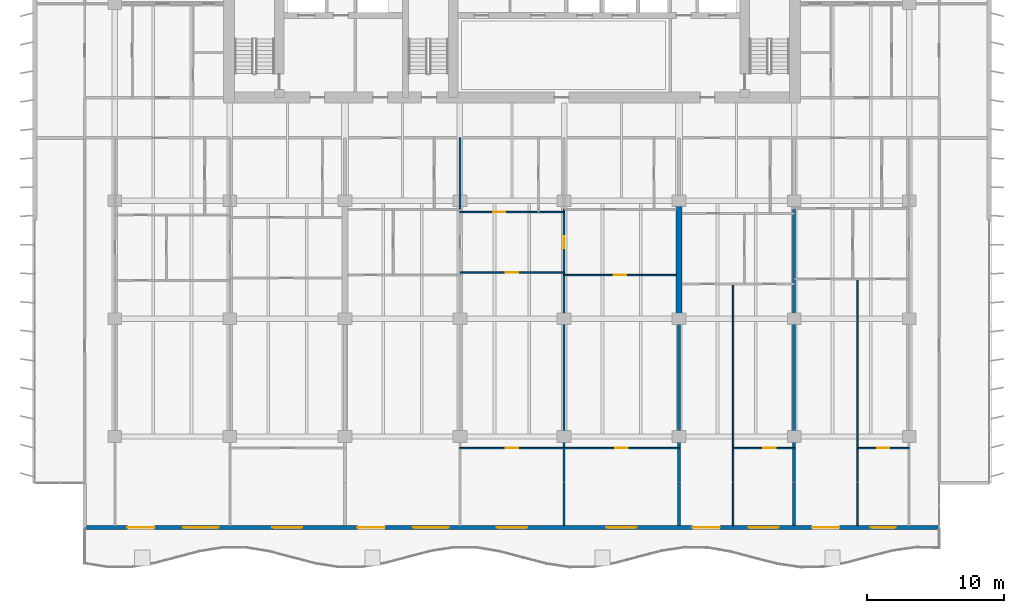
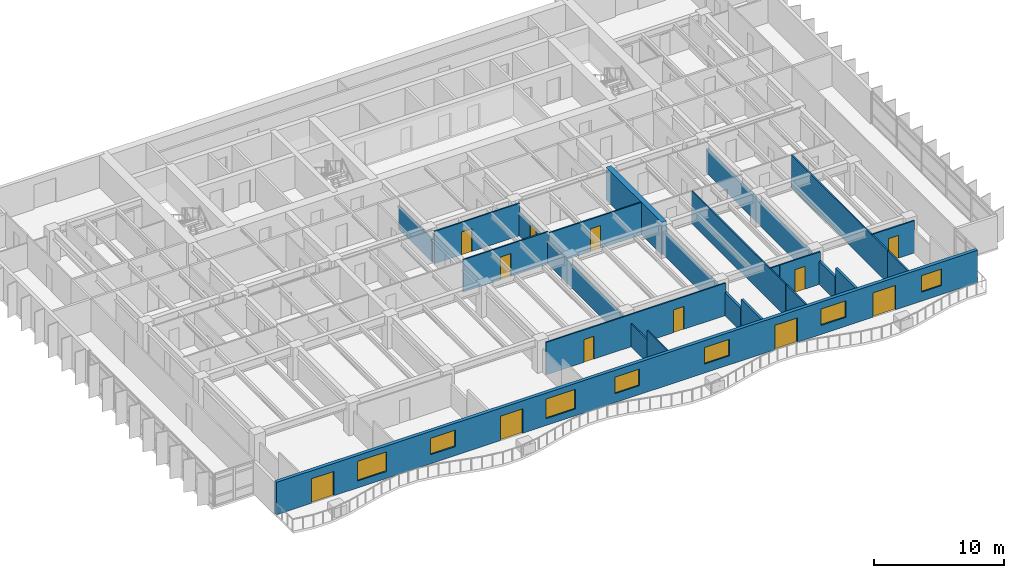
# One storey, part 7 of 15: 20 walls, 12 doors, 7 windows, 19 openings.
"""IFC4 building model written with IfcOpenShell, lengths in metres."""

from ifc_helpers import new_model, si_unit, direction, frame, frame_2d, origin, place, context, subcontext, project, spatial, rectangle, extrude, material, layer, layer_set, type_object, element, fill, save


model = new_model("IFC4")

# Units and contexts
model_context = context("Model", 3, precision=1e-05, world=origin(), true_north=direction((0.0, 1.0)))
body_context = subcontext(model_context, "Body", "Model", "MODEL_VIEW")
ifc_project = project(units=[si_unit("LENGTHUNIT", "METRE"), si_unit("AREAUNIT", "SQUARE_METRE"), si_unit("VOLUMEUNIT", "CUBIC_METRE"), si_unit("PLANEANGLEUNIT", "RADIAN"), si_unit("MASSUNIT", "GRAM", prefix="KILO")], contexts=[model_context])

# Site, building, storey
site_placement = place(None, origin())
site = spatial("IfcSite", under=ifc_project, at=site_placement, CompositionType="ELEMENT")
building_placement = place(site_placement, origin())
building = spatial("IfcBuilding", under=site, at=building_placement, Name="Caelmar Bay Residences", CompositionType="ELEMENT")
storey_placement = place(building_placement, frame((0.0, 0.0, 132.300048828125)))
storey = spatial("IfcBuildingStorey", under=building, at=storey_placement, Name="L36", CompositionType="ELEMENT", Elevation=132.300048828125)

# Wall
ifc_material_1 = material(Name="Concrete f'c 55 MPa (8,000 psi)", Category="concrete")
ifc_layer_1 = layer(ifc_material_1, 0.449951171875)
ifc_layer_set_1 = layer_set([ifc_layer_1], Name="Concrete f'c 55 MPa (8,000 psi)")
wall_type_1 = type_object("IfcWallType", Name="SW-XSLB-450", PredefinedType="SHEAR", material=ifc_layer_set_1)
wall_1_placement = place(storey_placement, frame((51.10009765625, 20.800048828125, 0.0), z_axis=(0.0, 0.0, 1.0), x_axis=(0.0, 1.0, 0.0)))
element("IfcWall", 1, at=wall_1_placement, inside=storey, type_object=wall_type_1, Name="L36 Transverse Cross-Slab Shear Wall E8", PredefinedType="SHEAR", context=body_context, shape_type="SweptSolid", body=[
    extrude(rectangle(XDim=8.599853515625, YDim=0.449951171875, at=frame_2d((4.2998046875, 0.0))), origin(), (0.0, 0.0, 1.0), 3.050048828125),
])

# Wall, openings, doors, windows
ifc_material_2 = material(Name="Precast concrete f'c 40 MPa (6,000 psi)", Category="concrete")
ifc_layer_2 = layer(ifc_material_2, 0.300048828125)
ifc_layer_set_2 = layer_set([ifc_layer_2], Name="Precast concrete f'c 40 MPa (6,000 psi)")
wall_type_2 = type_object("IfcWallType", Name="W-EXT-300", PredefinedType="STANDARD", material=ifc_layer_set_2)
wall_2_placement = place(storey_placement, frame((70.10009765625, 5.550048828125, 0.0), z_axis=(0.0, 0.0, 1.0), x_axis=(-1.0, 0.0, 0.0)))
wall_2 = element("IfcWall", 2, at=wall_2_placement, inside=storey, type_object=wall_type_2, Name="L36 South Bayfront Exterior Wall", PredefinedType="STANDARD", context=body_context, shape_type="SweptSolid", body=[
    extrude(rectangle(XDim=62.400146484375, YDim=0.300048828125, at=frame_2d((31.2001953125, 0.0))), origin(), (0.0, 0.0, 1.0), 3.050048828125),
])
opening_1_placement = place(wall_2_placement, frame((57.2900390625, 0.0, 0.0)))
opening_1 = element("IfcOpeningElement", 3, at=opening_1_placement, cuts=wall_2, Name="Opening L36-BD01", PredefinedType="OPENING", context=body_context, shape_type="SweptSolid", body=[
    extrude(rectangle(XDim=2.0, YDim=2.300048828125, at=frame_2d((1.0, 1.14990234375))), frame((0.0, 0.159912109375, 0.0), z_axis=(0.0, -1.0, 0.0), x_axis=(1.0, 0.0, 0.0)), (0.0, 0.0, 1.0), 0.320068359375),
])
opening_2_placement = place(wall_2_placement, frame((52.610107421875, 0.0, 0.64990234375)))
opening_2 = element("IfcOpeningElement", 4, at=opening_2_placement, cuts=wall_2, Name="Opening WN3", PredefinedType="OPENING", context=body_context, shape_type="SweptSolid", body=[
    extrude(rectangle(XDim=2.60009765625, YDim=1.85009765625, at=frame_2d((1.300048828125, 0.925048828125))), frame((0.0, 0.159912109375, 0.0), z_axis=(0.0, -1.0, 0.0), x_axis=(1.0, 0.0, 0.0)), (0.0, 0.0, 1.0), 0.320068359375),
])
opening_3_placement = place(wall_2_placement, frame((46.5, 0.0, 0.85009765625)))
opening_3 = element("IfcOpeningElement", 5, at=opening_3_placement, cuts=wall_2, Name="Opening WN2", PredefinedType="OPENING", context=body_context, shape_type="SweptSolid", body=[
    extrude(rectangle(XDim=2.199951171875, YDim=1.550048828125, at=frame_2d((1.10009765625, 0.77490234375))), frame((0.0, 0.159912109375, 0.0), z_axis=(0.0, -1.0, 0.0), x_axis=(1.0, 0.0, 0.0)), (0.0, 0.0, 1.0), 0.320068359375),
])
opening_4_placement = place(wall_2_placement, frame((40.489990234375, 0.0, 0.0)))
opening_4 = element("IfcOpeningElement", 6, at=opening_4_placement, cuts=wall_2, Name="Opening L36-BD02", PredefinedType="OPENING", context=body_context, shape_type="SweptSolid", body=[
    extrude(rectangle(XDim=2.0, YDim=2.300048828125, at=frame_2d((1.0, 1.14990234375))), frame((0.0, 0.159912109375, 0.0), z_axis=(0.0, -1.0, 0.0), x_axis=(1.0, 0.0, 0.0)), (0.0, 0.0, 1.0), 0.320068359375),
])
opening_5_placement = place(wall_2_placement, frame((35.81005859375, 0.0, 0.64990234375)))
opening_5 = element("IfcOpeningElement", 7, at=opening_5_placement, cuts=wall_2, Name="Opening WN3", PredefinedType="OPENING", context=body_context, shape_type="SweptSolid", body=[
    extrude(rectangle(XDim=2.60009765625, YDim=1.85009765625, at=frame_2d((1.300048828125, 0.925048828125))), frame((0.0, 0.159912109375, 0.0), z_axis=(0.0, -1.0, 0.0), x_axis=(1.0, 0.0, 0.0)), (0.0, 0.0, 1.0), 0.320068359375),
])
opening_6_placement = place(wall_2_placement, frame((30.10009765625, 0.0, 0.85009765625)))
opening_6 = element("IfcOpeningElement", 8, at=opening_6_placement, cuts=wall_2, Name="Opening WN2", PredefinedType="OPENING", context=body_context, shape_type="SweptSolid", body=[
    extrude(rectangle(XDim=2.199951171875, YDim=1.550048828125, at=frame_2d((1.10009765625, 0.77490234375))), frame((0.0, 0.159912109375, 0.0), z_axis=(0.0, -1.0, 0.0), x_axis=(1.0, 0.0, 0.0)), (0.0, 0.0, 1.0), 0.320068359375),
])
opening_7_placement = place(wall_2_placement, frame((22.10009765625, 0.0, 0.85009765625)))
opening_7 = element("IfcOpeningElement", 9, at=opening_7_placement, cuts=wall_2, Name="Opening WN2", PredefinedType="OPENING", context=body_context, shape_type="SweptSolid", body=[
    extrude(rectangle(XDim=2.199951171875, YDim=1.550048828125, at=frame_2d((1.10009765625, 0.77490234375))), frame((0.0, 0.159912109375, 0.0), z_axis=(0.0, -1.0, 0.0), x_axis=(1.0, 0.0, 0.0)), (0.0, 0.0, 1.0), 0.320068359375),
])
opening_8_placement = place(wall_2_placement, frame((16.02587890625, 0.0, 0.0)))
opening_8 = element("IfcOpeningElement", 10, at=opening_8_placement, cuts=wall_2, Name="Opening L36-BD03", PredefinedType="OPENING", context=body_context, shape_type="SweptSolid", body=[
    extrude(rectangle(XDim=2.0, YDim=2.300048828125, at=frame_2d((1.0, 1.14990234375))), frame((0.0, 0.159912109375, 0.0), z_axis=(0.0, -1.0, 0.0), x_axis=(1.0, 0.0, 0.0)), (0.0, 0.0, 1.0), 0.320068359375),
])
opening_9_placement = place(wall_2_placement, frame((11.72607421875, 0.0, 0.85009765625)))
opening_9 = element("IfcOpeningElement", 11, at=opening_9_placement, cuts=wall_2, Name="Opening WN2", PredefinedType="OPENING", context=body_context, shape_type="SweptSolid", body=[
    extrude(rectangle(XDim=2.199951171875, YDim=1.550048828125, at=frame_2d((1.10009765625, 0.77490234375))), frame((0.0, 0.159912109375, 0.0), z_axis=(0.0, -1.0, 0.0), x_axis=(1.0, 0.0, 0.0)), (0.0, 0.0, 1.0), 0.320068359375),
])
opening_10_placement = place(wall_2_placement, frame((7.2900390625, 0.0, 0.0)))
opening_10 = element("IfcOpeningElement", 12, at=opening_10_placement, cuts=wall_2, Name="Opening L36-BD04", PredefinedType="OPENING", context=body_context, shape_type="SweptSolid", body=[
    extrude(rectangle(XDim=2.0, YDim=2.300048828125, at=frame_2d((1.0, 1.14990234375))), frame((0.0, 0.159912109375, 0.0), z_axis=(0.0, -1.0, 0.0), x_axis=(1.0, 0.0, 0.0)), (0.0, 0.0, 1.0), 0.320068359375),
])
opening_11_placement = place(wall_2_placement, frame((3.18994140625, 0.0, 0.85009765625)))
opening_11 = element("IfcOpeningElement", 13, at=opening_11_placement, cuts=wall_2, Name="Opening WN1", PredefinedType="OPENING", context=body_context, shape_type="SweptSolid", body=[
    extrude(rectangle(XDim=1.800048828125, YDim=1.550048828125, at=frame_2d((0.89990234375, 0.77490234375))), frame((0.0, 0.159912109375, 0.0), z_axis=(0.0, -1.0, 0.0), x_axis=(1.0, 0.0, 0.0)), (0.0, 0.0, 1.0), 0.320068359375),
])
ifc_material_3 = material(Name="Anodised bronze thermally broken sliding glass door", Category="glass")
ifc_layer_3 = layer(ifc_material_3, 0.050048828125)
ifc_layer_set_3 = layer_set([ifc_layer_3], Name="Anodised bronze thermally broken sliding glass door")
door_type_1 = type_object("IfcDoorType", Name="D-BAL-2000", OperationType="DOUBLE_DOOR_SLIDING", PredefinedType="DOOR", material=ifc_layer_set_3)
door_1_placement = place(opening_1_placement, origin())
door_1 = element("IfcDoor", 14, at=door_1_placement, inside=storey, type_object=door_type_1, Name="L36 Residence 01 Penthouse Living Salon Balcony Door", OperationType="DOUBLE_DOOR_SLIDING", OverallHeight=2.300048828125, OverallWidth=2.0, PredefinedType="DOOR", context=body_context, shape_type="SweptSolid", body=[
    extrude(rectangle(XDim=2.0, YDim=2.300048828125, at=frame_2d((1.0, 1.14990234375))), frame((0.0, 0.02490234375, 0.0), z_axis=(0.0, -1.0, 0.0), x_axis=(1.0, 0.0, 0.0)), (0.0, 0.0, 1.0), 0.050048828125),
])
fill(opening_1, door_1)
door_2_placement = place(opening_4_placement, origin())
door_2 = element("IfcDoor", 15, at=door_2_placement, inside=storey, type_object=door_type_1, Name="L36 Residence 02 Penthouse Living Salon Balcony Door", OperationType="DOUBLE_DOOR_SLIDING", OverallHeight=2.300048828125, OverallWidth=2.0, PredefinedType="DOOR", context=body_context, shape_type="SweptSolid", body=[
    extrude(rectangle(XDim=2.0, YDim=2.300048828125, at=frame_2d((1.0, 1.14990234375))), frame((0.0, 0.02490234375, 0.0), z_axis=(0.0, -1.0, 0.0), x_axis=(1.0, 0.0, 0.0)), (0.0, 0.0, 1.0), 0.050048828125),
])
fill(opening_4, door_2)
door_3_placement = place(opening_8_placement, origin())
door_3 = element("IfcDoor", 16, at=door_3_placement, inside=storey, type_object=door_type_1, Name="L36 Residence 03 Living Room Balcony Door", OperationType="DOUBLE_DOOR_SLIDING", OverallHeight=2.300048828125, OverallWidth=2.0, PredefinedType="DOOR", context=body_context, shape_type="SweptSolid", body=[
    extrude(rectangle(XDim=2.0, YDim=2.300048828125, at=frame_2d((1.0, 1.14990234375))), frame((0.0, 0.02490234375, 0.0), z_axis=(0.0, -1.0, 0.0), x_axis=(1.0, 0.0, 0.0)), (0.0, 0.0, 1.0), 0.050048828125),
])
fill(opening_8, door_3)
door_4_placement = place(opening_10_placement, origin())
door_4 = element("IfcDoor", 17, at=door_4_placement, inside=storey, type_object=door_type_1, Name="L36 Residence 04 Penthouse Living Salon Balcony Door", OperationType="DOUBLE_DOOR_SLIDING", OverallHeight=2.300048828125, OverallWidth=2.0, PredefinedType="DOOR", context=body_context, shape_type="SweptSolid", body=[
    extrude(rectangle(XDim=2.0, YDim=2.300048828125, at=frame_2d((1.0, 1.14990234375))), frame((0.0, 0.02490234375, 0.0), z_axis=(0.0, -1.0, 0.0), x_axis=(1.0, 0.0, 0.0)), (0.0, 0.0, 1.0), 0.050048828125),
])
fill(opening_10, door_4)
ifc_material_4 = material(Name="Bronze aluminium frame with laminated low-E glass", Category="aluminium")
ifc_layer_4 = layer(ifc_material_4, 0.06005859375)
ifc_layer_set_4 = layer_set([ifc_layer_4], Name="Bronze aluminium frame with laminated low-E glass")
window_type_1 = type_object("IfcWindowType", Name="WIN-BR-1800", PartitioningType="SINGLE_PANEL", PredefinedType="WINDOW", material=ifc_layer_set_4)
window_1_placement = place(opening_11_placement, origin())
window_1 = element("IfcWindow", 18, at=window_1_placement, inside=storey, type_object=window_type_1, Name="L36 Residence 04 Primary Bedroom Window", OverallHeight=1.550048828125, OverallWidth=1.800048828125, PartitioningType="SINGLE_PANEL", PredefinedType="WINDOW", context=body_context, shape_type="SweptSolid", body=[
    extrude(rectangle(XDim=1.800048828125, YDim=1.550048828125, at=frame_2d((0.89990234375, 0.77490234375))), frame((0.0, 0.030029296875, 0.0), z_axis=(0.0, -1.0, 0.0), x_axis=(1.0, 0.0, 0.0)), (0.0, 0.0, 1.0), 0.06005859375),
])
fill(opening_11, window_1)
ifc_layer_5 = layer(ifc_material_4, 0.06005859375)
ifc_layer_set_5 = layer_set([ifc_layer_5], Name="Bronze aluminium frame with laminated low-E glass")
window_type_2 = type_object("IfcWindowType", Name="WIN-BR-2200", PartitioningType="SINGLE_PANEL", PredefinedType="WINDOW", material=ifc_layer_set_5)
window_2_placement = place(opening_3_placement, origin())
window_2 = element("IfcWindow", 19, at=window_2_placement, inside=storey, type_object=window_type_2, Name="L36 Residence 01 Primary Bedroom 1 Window", OverallHeight=1.550048828125, OverallWidth=2.199951171875, PartitioningType="SINGLE_PANEL", PredefinedType="WINDOW", context=body_context, shape_type="SweptSolid", body=[
    extrude(rectangle(XDim=2.199951171875, YDim=1.550048828125, at=frame_2d((1.10009765625, 0.77490234375))), frame((0.0, 0.030029296875, 0.0), z_axis=(0.0, -1.0, 0.0), x_axis=(1.0, 0.0, 0.0)), (0.0, 0.0, 1.0), 0.06005859375),
])
fill(opening_3, window_2)
window_3_placement = place(opening_6_placement, origin())
window_3 = element("IfcWindow", 20, at=window_3_placement, inside=storey, type_object=window_type_2, Name="L36 Residence 02 Primary Bedroom 1 Window", OverallHeight=1.550048828125, OverallWidth=2.199951171875, PartitioningType="SINGLE_PANEL", PredefinedType="WINDOW", context=body_context, shape_type="SweptSolid", body=[
    extrude(rectangle(XDim=2.199951171875, YDim=1.550048828125, at=frame_2d((1.10009765625, 0.77490234375))), frame((0.0, 0.030029296875, 0.0), z_axis=(0.0, -1.0, 0.0), x_axis=(1.0, 0.0, 0.0)), (0.0, 0.0, 1.0), 0.06005859375),
])
fill(opening_6, window_3)
window_4_placement = place(opening_7_placement, origin())
window_4 = element("IfcWindow", 21, at=window_4_placement, inside=storey, type_object=window_type_2, Name="L36 Residence 02 Primary Bedroom 2 Window", OverallHeight=1.550048828125, OverallWidth=2.199951171875, PartitioningType="SINGLE_PANEL", PredefinedType="WINDOW", context=body_context, shape_type="SweptSolid", body=[
    extrude(rectangle(XDim=2.199951171875, YDim=1.550048828125, at=frame_2d((1.10009765625, 0.77490234375))), frame((0.0, 0.030029296875, 0.0), z_axis=(0.0, -1.0, 0.0), x_axis=(1.0, 0.0, 0.0)), (0.0, 0.0, 1.0), 0.06005859375),
])
fill(opening_7, window_4)
window_5_placement = place(opening_9_placement, origin())
window_5 = element("IfcWindow", 22, at=window_5_placement, inside=storey, type_object=window_type_2, Name="L36 Residence 03 Primary Bedroom Window", OverallHeight=1.550048828125, OverallWidth=2.199951171875, PartitioningType="SINGLE_PANEL", PredefinedType="WINDOW", context=body_context, shape_type="SweptSolid", body=[
    extrude(rectangle(XDim=2.199951171875, YDim=1.550048828125, at=frame_2d((1.10009765625, 0.77490234375))), frame((0.0, 0.030029296875, 0.0), z_axis=(0.0, -1.0, 0.0), x_axis=(1.0, 0.0, 0.0)), (0.0, 0.0, 1.0), 0.06005859375),
])
fill(opening_9, window_5)
ifc_layer_6 = layer(ifc_material_4, 0.06005859375)
ifc_layer_set_6 = layer_set([ifc_layer_6], Name="Bronze aluminium frame with laminated low-E glass")
window_type_3 = type_object("IfcWindowType", Name="WIN-LIV-2600", PartitioningType="SINGLE_PANEL", PredefinedType="WINDOW", material=ifc_layer_set_6)
window_6_placement = place(opening_2_placement, origin())
window_6 = element("IfcWindow", 23, at=window_6_placement, inside=storey, type_object=window_type_3, Name="L36 Residence 01 Penthouse Living Salon Panoramic Window", OverallHeight=1.85009765625, OverallWidth=2.60009765625, PartitioningType="SINGLE_PANEL", PredefinedType="WINDOW", context=body_context, shape_type="SweptSolid", body=[
    extrude(rectangle(XDim=2.60009765625, YDim=1.85009765625, at=frame_2d((1.300048828125, 0.925048828125))), frame((0.0, 0.030029296875, 0.0), z_axis=(0.0, -1.0, 0.0), x_axis=(1.0, 0.0, 0.0)), (0.0, 0.0, 1.0), 0.06005859375),
])
fill(opening_2, window_6)
window_7_placement = place(opening_5_placement, origin())
window_7 = element("IfcWindow", 24, at=window_7_placement, inside=storey, type_object=window_type_3, Name="L36 Residence 02 Penthouse Living Salon Panoramic Window", OverallHeight=1.85009765625, OverallWidth=2.60009765625, PartitioningType="SINGLE_PANEL", PredefinedType="WINDOW", context=body_context, shape_type="SweptSolid", body=[
    extrude(rectangle(XDim=2.60009765625, YDim=1.85009765625, at=frame_2d((1.300048828125, 0.925048828125))), frame((0.0, 0.030029296875, 0.0), z_axis=(0.0, -1.0, 0.0), x_axis=(1.0, 0.0, 0.0)), (0.0, 0.0, 1.0), 0.06005859375),
])
fill(opening_5, window_7)

# Walls
ifc_material_5 = material(Name="Acoustic metal-stud gypsum partition 120 mm")
ifc_layer_7 = layer(ifc_material_5, 0.1201171875)
ifc_layer_set_7 = layer_set([ifc_layer_7], Name="Acoustic metal-stud gypsum partition 120 mm")
wall_type_3 = type_object("IfcWallType", Name="W-PRT-120", PredefinedType="PARTITIONING", material=ifc_layer_set_7)
wall_3_placement = place(storey_placement, frame((35.10009765625, 28.840087890625, 0.0), z_axis=(0.0, 0.0, 1.0), x_axis=(0.0, 1.0, 0.0)))
element("IfcWall", 25, at=wall_3_placement, inside=storey, type_object=wall_type_3, Name="L36 Partition Wall V030", PredefinedType="PARTITIONING", context=body_context, shape_type="SweptSolid", body=[
    extrude(rectangle(XDim=5.159912109375, YDim=0.1201171875, at=frame_2d((2.580078125, 0.0))), origin(), (0.0, 0.0, 1.0), 2.174072265625),
])
wall_4_placement = place(storey_placement, frame((42.699951171875, 5.695068359375, 0.0), z_axis=(0.0, 0.0, 1.0), x_axis=(0.0, 1.0, 0.0)))
element("IfcWall", 26, at=wall_4_placement, inside=storey, type_object=wall_type_3, Name="L36 Partition Wall V035", PredefinedType="PARTITIONING", context=body_context, shape_type="SweptSolid", body=[
    extrude(rectangle(XDim=3.10498046875, YDim=0.1201171875, at=frame_2d((1.552490234375, 0.0))), origin(), (0.0, 0.0, 1.0), 3.050048828125),
])

# Wall, opening, door
wall_5_placement = place(storey_placement, frame((42.699951171875, 8.840087890625, 0.0), z_axis=(0.0, 0.0, 1.0), x_axis=(0.0, 1.0, 0.0)))
wall_5 = element("IfcWall", 27, at=wall_5_placement, inside=storey, type_object=wall_type_3, Name="L36 Partition Wall V036", PredefinedType="PARTITIONING", context=body_context, shape_type="SweptSolid", body=[
    extrude(rectangle(XDim=19.93994140625, YDim=0.1201171875, at=frame_2d((9.969970703125, 0.0))), origin(), (0.0, 0.0, 1.0), 2.174072265625),
])
opening_12_placement = place(wall_5_placement, frame((17.090087890625, 0.0, 0.0)))
opening_12 = element("IfcOpeningElement", 28, at=opening_12_placement, cuts=wall_5, Name="Opening D-L36-141", PredefinedType="OPENING", context=body_context, shape_type="SweptSolid", body=[
    extrude(rectangle(XDim=0.89990234375, YDim=2.1240234375, at=frame_2d((0.449951171875, 1.06201171875))), frame((0.0, 0.070068359375, 0.0), z_axis=(0.0, -1.0, 0.0), x_axis=(1.0, 0.0, 0.0)), (0.0, 0.0, 1.0), 0.14013671875),
])
ifc_material_6 = material(Name="Solid walnut timber interior door leaf and frame", Category="wood")
ifc_layer_8 = layer(ifc_material_6, 0.050048828125)
ifc_layer_set_8 = layer_set([ifc_layer_8], Name="Solid walnut timber interior door leaf and frame")
door_type_2 = type_object("IfcDoorType", Name="D-ROOM-900", OperationType="NOTDEFINED", PredefinedType="DOOR", material=ifc_layer_set_8)
door_5_placement = place(opening_12_placement, origin())
door_5 = element("IfcDoor", 29, at=door_5_placement, inside=storey, type_object=door_type_2, Name="L36 Residence 02 Reception Lounge 2 Door", OperationType="SINGLE_SWING_RIGHT", OverallHeight=2.1240234375, OverallWidth=0.89990234375, PredefinedType="DOOR", context=body_context, shape_type="SweptSolid", body=[
    extrude(rectangle(XDim=0.89990234375, YDim=2.1240234375, at=frame_2d((0.449951171875, 1.06201171875))), frame((0.0, 0.02490234375, 0.0), z_axis=(0.0, -1.0, 0.0), x_axis=(1.0, 0.0, 0.0)), (0.0, 0.0, 1.0), 0.050048828125),
])
fill(opening_12, door_5)

# Walls
wall_6_placement = place(storey_placement, frame((55.048095703125, 5.695068359375, 0.0), z_axis=(0.0, 0.0, 1.0), x_axis=(0.0, 1.0, 0.0)))
element("IfcWall", 30, at=wall_6_placement, inside=storey, type_object=wall_type_3, Name="L36 Partition Wall V048", PredefinedType="PARTITIONING", context=body_context, shape_type="SweptSolid", body=[
    extrude(rectangle(XDim=3.10498046875, YDim=0.1201171875, at=frame_2d((1.552490234375, 0.0))), origin(), (0.0, 0.0, 1.0), 3.050048828125),
])
wall_7_placement = place(storey_placement, frame((55.048095703125, 8.840087890625, 0.0), z_axis=(0.0, 0.0, 1.0), x_axis=(0.0, 1.0, 0.0)))
element("IfcWall", 31, at=wall_7_placement, inside=storey, type_object=wall_type_3, Name="L36 Partition Wall V049", PredefinedType="PARTITIONING", context=body_context, shape_type="SweptSolid", body=[
    extrude(rectangle(XDim=14.489990234375, YDim=0.1201171875, at=frame_2d((7.2451171875, 0.0))), origin(), (0.0, 0.0, 1.0), 3.050048828125),
])
wall_8_placement = place(storey_placement, frame((64.1201171875, 5.695068359375, 0.0), z_axis=(0.0, 0.0, 1.0), x_axis=(0.0, 1.0, 0.0)))
element("IfcWall", 32, at=wall_8_placement, inside=storey, type_object=wall_type_3, Name="L36 Partition Wall V059", PredefinedType="PARTITIONING", context=body_context, shape_type="SweptSolid", body=[
    extrude(rectangle(XDim=3.10498046875, YDim=0.1201171875, at=frame_2d((1.552490234375, 0.0))), origin(), (0.0, 0.0, 1.0), 3.050048828125),
])
wall_9_placement = place(storey_placement, frame((64.1201171875, 8.840087890625, 0.0), z_axis=(0.0, 0.0, 1.0), x_axis=(0.0, 1.0, 0.0)))
element("IfcWall", 33, at=wall_9_placement, inside=storey, type_object=wall_type_3, Name="L36 Partition Wall V060", PredefinedType="PARTITIONING", context=body_context, shape_type="SweptSolid", body=[
    extrude(rectangle(XDim=14.849853515625, YDim=0.1201171875, at=frame_2d((7.4248046875, 0.0))), origin(), (0.0, 0.0, 1.0), 3.050048828125),
])

# Wall, openings, doors
wall_10_placement = place(storey_placement, frame((35.10009765625, 11.35009765625, 0.0), z_axis=(0.0, 0.0, 1.0), x_axis=(1.0, 0.0, 0.0)))
wall_10 = element("IfcWall", 34, at=wall_10_placement, inside=storey, type_object=wall_type_3, Name="L36 Partition Wall H072", PredefinedType="PARTITIONING", context=body_context, shape_type="SweptSolid", body=[
    extrude(rectangle(XDim=16.0, YDim=0.1201171875, at=frame_2d((8.0, 0.0))), origin(), (0.0, 0.0, 1.0), 3.050048828125),
])
opening_13_placement = place(wall_10_placement, frame((3.35009765625, 0.0, 0.0)))
opening_13 = element("IfcOpeningElement", 35, at=opening_13_placement, cuts=wall_10, Name="Opening D-L36-140", PredefinedType="OPENING", context=body_context, shape_type="SweptSolid", body=[
    extrude(rectangle(XDim=0.89990234375, YDim=2.14990234375, at=frame_2d((0.449951171875, 1.074951171875))), frame((0.0, 0.070068359375, 0.0), z_axis=(0.0, -1.0, 0.0), x_axis=(1.0, 0.0, 0.0)), (0.0, 0.0, 1.0), 0.14013671875),
])
opening_14_placement = place(wall_10_placement, frame((11.35009765625, 0.0, 0.0)))
opening_14 = element("IfcOpeningElement", 36, at=opening_14_placement, cuts=wall_10, Name="Opening D-L36-145", PredefinedType="OPENING", context=body_context, shape_type="SweptSolid", body=[
    extrude(rectangle(XDim=0.89990234375, YDim=2.14990234375, at=frame_2d((0.449951171875, 1.074951171875))), frame((0.0, 0.070068359375, 0.0), z_axis=(0.0, -1.0, 0.0), x_axis=(1.0, 0.0, 0.0)), (0.0, 0.0, 1.0), 0.14013671875),
])
door_6_placement = place(opening_13_placement, origin())
door_6 = element("IfcDoor", 37, at=door_6_placement, inside=storey, type_object=door_type_2, Name="L36 Residence 02 Primary Bedroom 1 Door", OperationType="SINGLE_SWING_LEFT", OverallHeight=2.14990234375, OverallWidth=0.89990234375, PredefinedType="DOOR", context=body_context, shape_type="SweptSolid", body=[
    extrude(rectangle(XDim=0.89990234375, YDim=2.14990234375, at=frame_2d((0.449951171875, 1.074951171875))), frame((0.0, 0.02490234375, 0.0), z_axis=(0.0, -1.0, 0.0), x_axis=(1.0, 0.0, 0.0)), (0.0, 0.0, 1.0), 0.050048828125),
])
fill(opening_13, door_6)
door_7_placement = place(opening_14_placement, origin())
door_7 = element("IfcDoor", 38, at=door_7_placement, inside=storey, type_object=door_type_2, Name="L36 Residence 02 Primary Bedroom 2 Door", OperationType="SINGLE_SWING_RIGHT", OverallHeight=2.14990234375, OverallWidth=0.89990234375, PredefinedType="DOOR", context=body_context, shape_type="SweptSolid", body=[
    extrude(rectangle(XDim=0.89990234375, YDim=2.14990234375, at=frame_2d((0.449951171875, 1.074951171875))), frame((0.0, 0.02490234375, 0.0), z_axis=(0.0, -1.0, 0.0), x_axis=(1.0, 0.0, 0.0)), (0.0, 0.0, 1.0), 0.050048828125),
])
fill(opening_14, door_7)

# Wall
wall_11_placement = place(storey_placement, frame((55.048095703125, 11.35009765625, 0.0), z_axis=(0.0, 0.0, 1.0), x_axis=(1.0, 0.0, 0.0)))
element("IfcWall", 39, at=wall_11_placement, inside=storey, type_object=wall_type_3, Name="L36 Partition Wall H073", PredefinedType="PARTITIONING", context=body_context, shape_type="SweptSolid", body=[
    extrude(rectangle(XDim=0.837890625, YDim=0.1201171875, at=frame_2d((0.4189453125, 0.0))), origin(), (0.0, 0.0, 1.0), 3.050048828125),
])

# Wall, opening, door
wall_12_placement = place(storey_placement, frame((55.89990234375, 11.35009765625, 0.0), z_axis=(0.0, 0.0, 1.0), x_axis=(1.0, 0.0, 0.0)))
wall_12 = element("IfcWall", 40, at=wall_12_placement, inside=storey, type_object=wall_type_3, Name="L36 Partition Wall H074", PredefinedType="PARTITIONING", context=body_context, shape_type="SweptSolid", body=[
    extrude(rectangle(XDim=3.60009765625, YDim=0.1201171875, at=frame_2d((1.800048828125, 0.0))), origin(), (0.0, 0.0, 1.0), 3.050048828125),
])
opening_15_placement = place(wall_12_placement, frame((1.35009765625, 0.0, 0.0)))
opening_15 = element("IfcOpeningElement", 41, at=opening_15_placement, cuts=wall_12, Name="Opening D-L36-152", PredefinedType="OPENING", context=body_context, shape_type="SweptSolid", body=[
    extrude(rectangle(XDim=0.89990234375, YDim=2.14990234375, at=frame_2d((0.449951171875, 1.074951171875))), frame((0.0, 0.070068359375, 0.0), z_axis=(0.0, -1.0, 0.0), x_axis=(1.0, 0.0, 0.0)), (0.0, 0.0, 1.0), 0.14013671875),
])
door_8_placement = place(opening_15_placement, origin())
door_8 = element("IfcDoor", 42, at=door_8_placement, inside=storey, type_object=door_type_2, Name="L36 Residence 03 Primary Bedroom Door", OperationType="SINGLE_SWING_LEFT", OverallHeight=2.14990234375, OverallWidth=0.89990234375, PredefinedType="DOOR", context=body_context, shape_type="SweptSolid", body=[
    extrude(rectangle(XDim=0.89990234375, YDim=2.14990234375, at=frame_2d((0.449951171875, 1.074951171875))), frame((0.0, 0.02490234375, 0.0), z_axis=(0.0, -1.0, 0.0), x_axis=(1.0, 0.0, 0.0)), (0.0, 0.0, 1.0), 0.050048828125),
])
fill(opening_15, door_8)

wall_13_placement = place(storey_placement, frame((64.1201171875, 11.35009765625, 0.0), z_axis=(0.0, 0.0, 1.0), x_axis=(1.0, 0.0, 0.0)))
wall_13 = element("IfcWall", 43, at=wall_13_placement, inside=storey, type_object=wall_type_3, Name="L36 Partition Wall H075", PredefinedType="PARTITIONING", context=body_context, shape_type="SweptSolid", body=[
    extrude(rectangle(XDim=3.77978515625, YDim=0.1201171875, at=frame_2d((1.889892578125, 0.0))), origin(), (0.0, 0.0, 1.0), 3.050048828125),
])
opening_16_placement = place(wall_13_placement, frame((1.43994140625, 0.0, 0.0)))
opening_16 = element("IfcOpeningElement", 44, at=opening_16_placement, cuts=wall_13, Name="Opening D-L36-159", PredefinedType="OPENING", context=body_context, shape_type="SweptSolid", body=[
    extrude(rectangle(XDim=0.89990234375, YDim=2.14990234375, at=frame_2d((0.449951171875, 1.074951171875))), frame((0.0, 0.070068359375, 0.0), z_axis=(0.0, -1.0, 0.0), x_axis=(1.0, 0.0, 0.0)), (0.0, 0.0, 1.0), 0.14013671875),
])
door_9_placement = place(opening_16_placement, origin())
door_9 = element("IfcDoor", 45, at=door_9_placement, inside=storey, type_object=door_type_2, Name="L36 Residence 04 Primary Bedroom Door", OperationType="SINGLE_SWING_RIGHT", OverallHeight=2.14990234375, OverallWidth=0.89990234375, PredefinedType="DOOR", context=body_context, shape_type="SweptSolid", body=[
    extrude(rectangle(XDim=0.89990234375, YDim=2.14990234375, at=frame_2d((0.449951171875, 1.074951171875))), frame((0.0, 0.02490234375, 0.0), z_axis=(0.0, -1.0, 0.0), x_axis=(1.0, 0.0, 0.0)), (0.0, 0.0, 1.0), 0.050048828125),
])
fill(opening_16, door_9)

wall_14_placement = place(storey_placement, frame((42.699951171875, 23.97998046875, 0.0), z_axis=(0.0, 0.0, 1.0), x_axis=(1.0, 0.0, 0.0)))
wall_14 = element("IfcWall", 46, at=wall_14_placement, inside=storey, type_object=wall_type_3, Name="L36 Partition Wall H082", PredefinedType="PARTITIONING", context=body_context, shape_type="SweptSolid", body=[
    extrude(rectangle(XDim=8.179931640625, YDim=0.1201171875, at=frame_2d((4.08984375, 0.0))), origin(), (0.0, 0.0, 1.0), 3.050048828125),
])
opening_17_placement = place(wall_14_placement, frame((3.639892578125, 0.0, 0.0)))
opening_17 = element("IfcOpeningElement", 47, at=opening_17_placement, cuts=wall_14, Name="Opening D-L36-144", PredefinedType="OPENING", context=body_context, shape_type="SweptSolid", body=[
    extrude(rectangle(XDim=0.89990234375, YDim=2.14990234375, at=frame_2d((0.449951171875, 1.074951171875))), frame((0.0, 0.070068359375, 0.0), z_axis=(0.0, -1.0, 0.0), x_axis=(1.0, 0.0, 0.0)), (0.0, 0.0, 1.0), 0.14013671875),
])
door_10_placement = place(opening_17_placement, origin())
door_10 = element("IfcDoor", 48, at=door_10_placement, inside=storey, type_object=door_type_2, Name="L36 Residence 02 Penthouse Sitting Salon 2 Door", OperationType="SINGLE_SWING_LEFT", OverallHeight=2.14990234375, OverallWidth=0.89990234375, PredefinedType="DOOR", context=body_context, shape_type="SweptSolid", body=[
    extrude(rectangle(XDim=0.89990234375, YDim=2.14990234375, at=frame_2d((0.449951171875, 1.074951171875))), frame((0.0, 0.02490234375, 0.0), z_axis=(0.0, -1.0, 0.0), x_axis=(1.0, 0.0, 0.0)), (0.0, 0.0, 1.0), 0.050048828125),
])
fill(opening_17, door_10)

wall_15_placement = place(storey_placement, frame((35.10498046875, 24.179931640625, 0.0), z_axis=(0.0, 0.0, 1.0), x_axis=(1.0, 0.0, 0.0)))
wall_15 = element("IfcWall", 49, at=wall_15_placement, inside=storey, type_object=wall_type_3, Name="L36 Partition Wall H083", PredefinedType="PARTITIONING", context=body_context, shape_type="SweptSolid", body=[
    extrude(rectangle(XDim=7.590087890625, YDim=0.1201171875, at=frame_2d((3.794921875, 0.0))), origin(), (0.0, 0.0, 1.0), 3.050048828125),
])
opening_18_placement = place(wall_15_placement, frame((3.344970703125, 0.0, 0.0)))
opening_18 = element("IfcOpeningElement", 50, at=opening_18_placement, cuts=wall_15, Name="Opening D-L36-139", PredefinedType="OPENING", context=body_context, shape_type="SweptSolid", body=[
    extrude(rectangle(XDim=0.89990234375, YDim=2.14990234375, at=frame_2d((0.449951171875, 1.074951171875))), frame((0.0, 0.070068359375, 0.0), z_axis=(0.0, -1.0, 0.0), x_axis=(1.0, 0.0, 0.0)), (0.0, 0.0, 1.0), 0.14013671875),
])
door_11_placement = place(opening_18_placement, origin())
door_11 = element("IfcDoor", 51, at=door_11_placement, inside=storey, type_object=door_type_2, Name="L36 Residence 02 Penthouse Sitting Salon 1 Door", OperationType="SINGLE_SWING_RIGHT", OverallHeight=2.14990234375, OverallWidth=0.89990234375, PredefinedType="DOOR", context=body_context, shape_type="SweptSolid", body=[
    extrude(rectangle(XDim=0.89990234375, YDim=2.14990234375, at=frame_2d((0.449951171875, 1.074951171875))), frame((0.0, 0.02490234375, 0.0), z_axis=(0.0, -1.0, 0.0), x_axis=(1.0, 0.0, 0.0)), (0.0, 0.0, 1.0), 0.050048828125),
])
fill(opening_18, door_11)

wall_16_placement = place(storey_placement, frame((35.10009765625, 28.580078125, 0.0), z_axis=(0.0, 0.0, 1.0), x_axis=(1.0, 0.0, 0.0)))
wall_16 = element("IfcWall", 52, at=wall_16_placement, inside=storey, type_object=wall_type_3, Name="L36 Partition Wall H088", PredefinedType="PARTITIONING", context=body_context, shape_type="SweptSolid", body=[
    extrude(rectangle(XDim=7.599853515625, YDim=0.1201171875, at=frame_2d((3.7998046875, 0.0))), origin(), (0.0, 0.0, 1.0), 3.050048828125),
])
opening_19_placement = place(wall_16_placement, frame((2.41845703125, 0.0, 0.0)))
opening_19 = element("IfcOpeningElement", 53, at=opening_19_placement, cuts=wall_16, Name="Opening D-L36-137", PredefinedType="OPENING", context=body_context, shape_type="SweptSolid", body=[
    extrude(rectangle(XDim=0.89990234375, YDim=2.14990234375, at=frame_2d((0.449951171875, 1.074951171875))), frame((0.0, 0.070068359375, 0.0), z_axis=(0.0, -1.0, 0.0), x_axis=(1.0, 0.0, 0.0)), (0.0, 0.0, 1.0), 0.14013671875),
])
door_12_placement = place(opening_19_placement, origin())
door_12 = element("IfcDoor", 54, at=door_12_placement, inside=storey, type_object=door_type_2, Name="L36 Residence 02 Private Reception Room 1 Door", OperationType="SINGLE_SWING_RIGHT", OverallHeight=2.14990234375, OverallWidth=0.89990234375, PredefinedType="DOOR", context=body_context, shape_type="SweptSolid", body=[
    extrude(rectangle(XDim=0.89990234375, YDim=2.14990234375, at=frame_2d((0.449951171875, 1.074951171875))), frame((0.0, 0.02490234375, 0.0), z_axis=(0.0, -1.0, 0.0), x_axis=(1.0, 0.0, 0.0)), (0.0, 0.0, 1.0), 0.050048828125),
])
fill(opening_19, door_12)

# Walls
ifc_material_7 = material(Name="Acoustic twin-stud fire-rated inter-tenancy partition 200 mm")
ifc_layer_9 = layer(ifc_material_7, 0.199951171875)
ifc_layer_set_9 = layer_set([ifc_layer_9], Name="Acoustic twin-stud fire-rated inter-tenancy partition 200 mm")
wall_type_4 = type_object("IfcWallType", Name="W-PTY-200", PredefinedType="PARTITIONING", material=ifc_layer_set_9)
wall_17_placement = place(storey_placement, frame((51.10009765625, 5.695068359375, 0.0), z_axis=(0.0, 0.0, 1.0), x_axis=(0.0, 1.0, 0.0)))
element("IfcWall", 55, at=wall_17_placement, inside=storey, type_object=wall_type_4, Name="L36 Partition Wall V044", PredefinedType="PARTITIONING", context=body_context, shape_type="SweptSolid", body=[
    extrude(rectangle(XDim=3.10498046875, YDim=0.199951171875, at=frame_2d((1.552490234375, 0.0))), origin(), (0.0, 0.0, 1.0), 3.050048828125),
])
wall_18_placement = place(storey_placement, frame((51.10009765625, 8.840087890625, 0.0), z_axis=(0.0, 0.0, 1.0), x_axis=(0.0, 1.0, 0.0)))
element("IfcWall", 56, at=wall_18_placement, inside=storey, type_object=wall_type_4, Name="L36 Partition Wall V045", PredefinedType="PARTITIONING", context=body_context, shape_type="SweptSolid", body=[
    extrude(rectangle(XDim=11.954833984375, YDim=0.199951171875, at=frame_2d((5.9775390625, 0.0))), origin(), (0.0, 0.0, 1.0), 2.174072265625),
])
wall_19_placement = place(storey_placement, frame((59.5, 5.695068359375, 0.0), z_axis=(0.0, 0.0, 1.0), x_axis=(0.0, 1.0, 0.0)))
element("IfcWall", 57, at=wall_19_placement, inside=storey, type_object=wall_type_4, Name="L36 Partition Wall V054", PredefinedType="PARTITIONING", context=body_context, shape_type="SweptSolid", body=[
    extrude(rectangle(XDim=3.10498046875, YDim=0.199951171875, at=frame_2d((1.552490234375, 0.0))), origin(), (0.0, 0.0, 1.0), 3.050048828125),
])
wall_20_placement = place(storey_placement, frame((59.5, 8.840087890625, 0.0), z_axis=(0.0, 0.0, 1.0), x_axis=(0.0, 1.0, 0.0)))
element("IfcWall", 58, at=wall_20_placement, inside=storey, type_object=wall_type_4, Name="L36 Partition Wall V055", PredefinedType="PARTITIONING", context=body_context, shape_type="SweptSolid", body=[
    extrude(rectangle(XDim=19.93994140625, YDim=0.199951171875, at=frame_2d((9.969970703125, 0.0))), origin(), (0.0, 0.0, 1.0), 2.174072265625),
])

save(model, "model.ifc")
